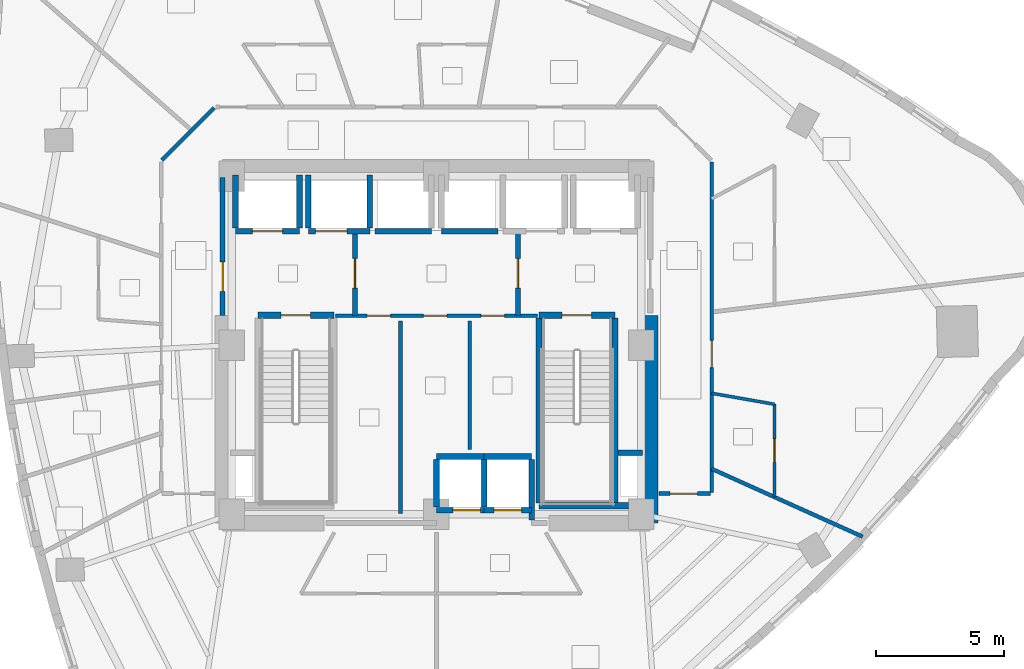
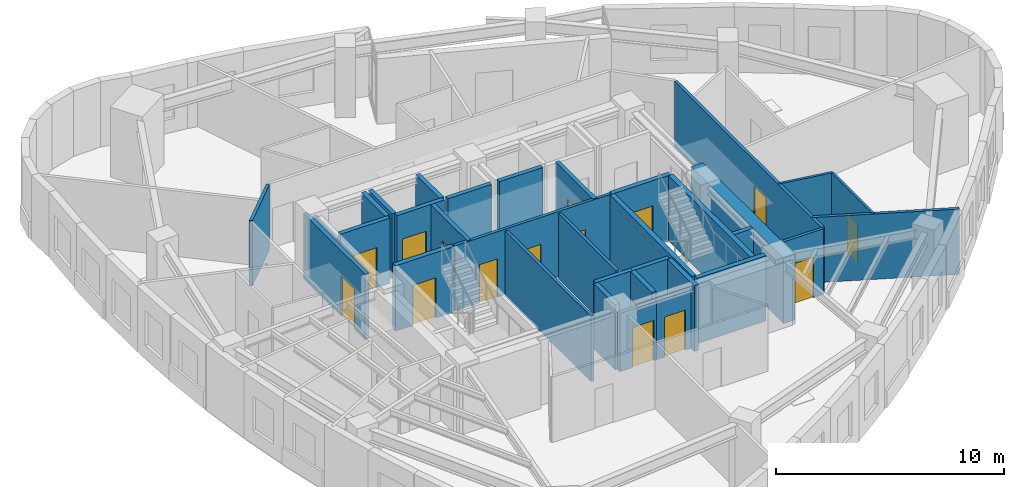
# One storey, part 7 of 12: 34 walls, 15 doors, 15 openings.
"""IFC4 building model written with IfcOpenShell, lengths in metres."""

from ifc_helpers import new_model, si_unit, direction, frame, frame_2d, origin, place, context, subcontext, project, spatial, rectangle, extrude, material, layer, layer_set, type_object, element, fill, save


model = new_model("IFC4")

# Units and contexts
model_context = context("Model", 3, precision=1e-05, world=origin(), true_north=direction((0.0, 1.0)))
body_context = subcontext(model_context, "Body", "Model", "MODEL_VIEW")
ifc_project = project(units=[si_unit("LENGTHUNIT", "METRE"), si_unit("AREAUNIT", "SQUARE_METRE"), si_unit("VOLUMEUNIT", "CUBIC_METRE"), si_unit("PLANEANGLEUNIT", "RADIAN"), si_unit("MASSUNIT", "GRAM", prefix="KILO")], contexts=[model_context])

# Site, building, storey
site_placement = place(None, origin())
site = spatial("IfcSite", under=ifc_project, at=site_placement, CompositionType="ELEMENT")
building_placement = place(site_placement, origin())
building = spatial("IfcBuilding", under=site, at=building_placement, Name="Ndelora Gate Hotel", CompositionType="ELEMENT")
storey_placement = place(building_placement, frame((0.0, 0.0, 153.5)))
storey = spatial("IfcBuildingStorey", under=building, at=storey_placement, Name="L38", CompositionType="ELEMENT", Elevation=153.5)

# Wall
ifc_material_1 = material(Name="Concrete C60/75", Category="concrete")
ifc_layer_1 = layer(ifc_material_1, 0.60009765625)
ifc_layer_set_1 = layer_set([ifc_layer_1], Name="Concrete C60/75")
wall_type_1 = type_object("IfcWallType", Name="WL-CORE-600", PredefinedType="SHEAR", material=ifc_layer_set_1)
wall_1_placement = place(storey_placement, frame((8.35009765625, -6.949951171875, 0.0), z_axis=(0.0, 0.0, 1.0), x_axis=(0.0, 1.0, 0.0)))
element("IfcWall", 1, at=wall_1_placement, inside=storey, type_object=wall_type_1, Name="L38 Core Shear Wall E", PredefinedType="SHEAR", context=body_context, shape_type="SweptSolid", body=[
    extrude(rectangle(XDim=8.099853515625, YDim=0.60009765625, at=frame_2d((4.0498046875, 0.0))), origin(), (0.0, 0.0, 1.0), 3.5),
])

# Wall, opening, door
ifc_material_2 = material(Name="Concrete C40/50", Category="concrete")
ifc_layer_2 = layer(ifc_material_2, 0.199951171875)
ifc_layer_set_2 = layer_set([ifc_layer_2], Name="Concrete C40/50")
wall_type_2 = type_object("IfcWallType", Name="WL-FIRE-200", PredefinedType="PARTITIONING", material=ifc_layer_set_2)
wall_2_placement = place(storey_placement, frame((-3.179931640625, 1.14990234375, 0.0), z_axis=(0.0, 0.0, 1.0), x_axis=(0.0, 1.0, 0.0)))
wall_2 = element("IfcWall", 2, at=wall_2_placement, inside=storey, type_object=wall_type_2, Name="L38 Interior Wall IW-2", PredefinedType="PARTITIONING", context=body_context, shape_type="SweptSolid", body=[
    extrude(rectangle(XDim=3.300048828125, YDim=0.199951171875, at=frame_2d((1.64990234375, 0.0))), origin(), (0.0, 0.0, 1.0), 3.5),
])
opening_1_placement = place(wall_2_placement, frame((1.080078125, 0.0, 0.0)))
opening_1 = element("IfcOpeningElement", 3, at=opening_1_placement, cuts=wall_2, Name="Opening FD1", PredefinedType="OPENING", context=body_context, shape_type="SweptSolid", body=[
    extrude(rectangle(XDim=1.14990234375, YDim=2.14990234375, at=frame_2d((0.574951171875, 1.074951171875))), frame((0.0, 0.10986328125, 0.0), z_axis=(0.0, -1.0, 0.0), x_axis=(1.0, 0.0, 0.0)), (0.0, 0.0, 1.0), 0.219970703125),
])
ifc_material_3 = material(Name="Fire-Rated Timber-Veneer Steel Core", Category="steel")
door_type_1 = type_object("IfcDoorType", Name="DR-FD60", OperationType="SINGLE_SWING_LEFT", PredefinedType="DOOR", material=ifc_material_3)
door_1_placement = place(opening_1_placement, origin())
door_1 = element("IfcDoor", 4, at=door_1_placement, inside=storey, type_object=door_type_1, Name="L38 Firefighting Lobby West Door", OperationType="SINGLE_SWING_RIGHT", OverallHeight=2.14990234375, OverallWidth=1.14990234375, PredefinedType="DOOR", context=body_context, shape_type="SweptSolid", body=[
    extrude(rectangle(XDim=1.14990234375, YDim=2.14990234375, at=frame_2d((0.574951171875, 1.074951171875))), frame((0.0, 0.02490234375, 0.0), z_axis=(0.0, -1.0, 0.0), x_axis=(1.0, 0.0, 0.0)), (0.0, 0.0, 1.0), 0.050048828125),
])
fill(opening_1, door_1)

wall_3_placement = place(storey_placement, frame((3.179931640625, 1.14990234375, 0.0), z_axis=(0.0, 0.0, 1.0), x_axis=(0.0, 1.0, 0.0)))
wall_3 = element("IfcWall", 5, at=wall_3_placement, inside=storey, type_object=wall_type_2, Name="L38 Interior Wall IW-2", PredefinedType="PARTITIONING", context=body_context, shape_type="SweptSolid", body=[
    extrude(rectangle(XDim=3.300048828125, YDim=0.199951171875, at=frame_2d((1.64990234375, 0.0))), origin(), (0.0, 0.0, 1.0), 3.5),
])
opening_2_placement = place(wall_3_placement, frame((1.080078125, 0.0, 0.0)))
opening_2 = element("IfcOpeningElement", 6, at=opening_2_placement, cuts=wall_3, Name="Opening FD1", PredefinedType="OPENING", context=body_context, shape_type="SweptSolid", body=[
    extrude(rectangle(XDim=1.14990234375, YDim=2.14990234375, at=frame_2d((0.574951171875, 1.074951171875))), frame((0.0, 0.10986328125, 0.0), z_axis=(0.0, -1.0, 0.0), x_axis=(1.0, 0.0, 0.0)), (0.0, 0.0, 1.0), 0.219970703125),
])
door_2_placement = place(opening_2_placement, origin())
door_2 = element("IfcDoor", 7, at=door_2_placement, inside=storey, type_object=door_type_1, Name="L38 Firefighting Lobby East Door", OperationType="SINGLE_SWING_LEFT", OverallHeight=2.14990234375, OverallWidth=1.14990234375, PredefinedType="DOOR", context=body_context, shape_type="SweptSolid", body=[
    extrude(rectangle(XDim=1.14990234375, YDim=2.14990234375, at=frame_2d((0.574951171875, 1.074951171875))), frame((0.0, 0.02490234375, 0.0), z_axis=(0.0, -1.0, 0.0), x_axis=(1.0, 0.0, 0.0)), (0.0, 0.0, 1.0), 0.050048828125),
])
fill(opening_2, door_2)

wall_4_placement = place(storey_placement, frame((-8.35009765625, 1.14990234375, 0.0), z_axis=(0.0, 0.0, 1.0), x_axis=(0.0, 1.0, 0.0)))
wall_4 = element("IfcWall", 8, at=wall_4_placement, inside=storey, type_object=wall_type_2, Name="L38 Interior Wall IW-2", PredefinedType="PARTITIONING", context=body_context, shape_type="SweptSolid", body=[
    extrude(rectangle(XDim=5.400146484375, YDim=0.199951171875, at=frame_2d((2.7001953125, 0.0))), origin(), (0.0, 0.0, 1.0), 3.5),
])
opening_3_placement = place(wall_4_placement, frame((0.949951171875, 0.0, 0.0)))
opening_3 = element("IfcOpeningElement", 9, at=opening_3_placement, cuts=wall_4, Name="Opening FD1", PredefinedType="OPENING", context=body_context, shape_type="SweptSolid", body=[
    extrude(rectangle(XDim=1.14990234375, YDim=2.14990234375, at=frame_2d((0.574951171875, 1.074951171875))), frame((0.0, 0.10986328125, 0.0), z_axis=(0.0, -1.0, 0.0), x_axis=(1.0, 0.0, 0.0)), (0.0, 0.0, 1.0), 0.219970703125),
])
door_3_placement = place(opening_3_placement, origin())
door_3 = element("IfcDoor", 10, at=door_3_placement, inside=storey, type_object=door_type_1, Name="L38 Firefighting Lobby West Corridor Door", OperationType="SINGLE_SWING_LEFT", OverallHeight=2.14990234375, OverallWidth=1.14990234375, PredefinedType="DOOR", context=body_context, shape_type="SweptSolid", body=[
    extrude(rectangle(XDim=1.14990234375, YDim=2.14990234375, at=frame_2d((0.574951171875, 1.074951171875))), frame((0.0, 0.02490234375, 0.0), z_axis=(0.0, -1.0, 0.0), x_axis=(1.0, 0.0, 0.0)), (0.0, 0.0, 1.0), 0.050048828125),
])
fill(opening_3, door_3)

# Wall, openings, doors
ifc_material_4 = material(Name="Fire-Rated Gypsum Stud Partition", Category="gypsum")
ifc_layer_3 = layer(ifc_material_4, 0.14990234375)
ifc_layer_set_3 = layer_set([ifc_layer_3], Name="Fire-Rated Gypsum Stud Partition")
wall_type_3 = type_object("IfcWallType", Name="WL-PART-150", PredefinedType="PARTITIONING", material=ifc_layer_set_3)
wall_5_placement = place(storey_placement, frame((3.949951171875, 1.14990234375, 0.0), z_axis=(0.0, 0.0, 1.0), x_axis=(-1.0, 0.0, 0.0)))
wall_5 = element("IfcWall", 11, at=wall_5_placement, inside=storey, type_object=wall_type_3, Name="L38 Interior Wall IW-5", PredefinedType="PARTITIONING", context=body_context, shape_type="SweptSolid", body=[
    extrude(rectangle(XDim=7.89990234375, YDim=0.14990234375, at=frame_2d((3.949951171875, 0.0))), origin(), (0.0, 0.0, 1.0), 3.5),
])
opening_4_placement = place(wall_5_placement, frame((5.739990234375, 0.0, 0.0)))
opening_4 = element("IfcOpeningElement", 12, at=opening_4_placement, cuts=wall_5, Name="Opening D04", PredefinedType="OPENING", context=body_context, shape_type="SweptSolid", body=[
    extrude(rectangle(XDim=0.919921875, YDim=2.050048828125, at=frame_2d((0.4599609375, 1.02490234375))), frame((0.0, 0.0849609375, 0.0), z_axis=(0.0, -1.0, 0.0), x_axis=(1.0, 0.0, 0.0)), (0.0, 0.0, 1.0), 0.169921875),
])
opening_5_placement = place(wall_5_placement, frame((3.5400390625, 0.0, 0.0)))
opening_5 = element("IfcOpeningElement", 13, at=opening_5_placement, cuts=wall_5, Name="Opening D04", PredefinedType="OPENING", context=body_context, shape_type="SweptSolid", body=[
    extrude(rectangle(XDim=0.919921875, YDim=2.050048828125, at=frame_2d((0.4599609375, 1.02490234375))), frame((0.0, 0.0849609375, 0.0), z_axis=(0.0, -1.0, 0.0), x_axis=(1.0, 0.0, 0.0)), (0.0, 0.0, 1.0), 0.169921875),
])
opening_6_placement = place(wall_5_placement, frame((1.2900390625, 0.0, 0.0)))
opening_6 = element("IfcOpeningElement", 14, at=opening_6_placement, cuts=wall_5, Name="Opening D04", PredefinedType="OPENING", context=body_context, shape_type="SweptSolid", body=[
    extrude(rectangle(XDim=0.919921875, YDim=2.050048828125, at=frame_2d((0.4599609375, 1.02490234375))), frame((0.0, 0.0849609375, 0.0), z_axis=(0.0, -1.0, 0.0), x_axis=(1.0, 0.0, 0.0)), (0.0, 0.0, 1.0), 0.169921875),
])
ifc_material_5 = material(Name="Painted Steel Core Service Door", Category="steel")
door_type_2 = type_object("IfcDoorType", Name="DR-SER-920", OperationType="SINGLE_SWING_LEFT", PredefinedType="DOOR", material=ifc_material_5)
door_4_placement = place(opening_4_placement, origin())
door_4 = element("IfcDoor", 15, at=door_4_placement, inside=storey, type_object=door_type_2, Name="L38 Core Cleaners Store Door", OperationType="SINGLE_SWING_LEFT", OverallHeight=2.050048828125, OverallWidth=0.919921875, PredefinedType="DOOR", context=body_context, shape_type="SweptSolid", body=[
    extrude(rectangle(XDim=0.919921875, YDim=2.050048828125, at=frame_2d((0.4599609375, 1.02490234375))), frame((0.0, 0.02490234375, 0.0), z_axis=(0.0, -1.0, 0.0), x_axis=(1.0, 0.0, 0.0)), (0.0, 0.0, 1.0), 0.050048828125),
])
fill(opening_4, door_4)
door_5_placement = place(opening_5_placement, origin())
door_5 = element("IfcDoor", 16, at=door_5_placement, inside=storey, type_object=door_type_2, Name="L38 Core Telecoms Equipment Room Door", OperationType="SINGLE_SWING_RIGHT", OverallHeight=2.050048828125, OverallWidth=0.919921875, PredefinedType="DOOR", context=body_context, shape_type="SweptSolid", body=[
    extrude(rectangle(XDim=0.919921875, YDim=2.050048828125, at=frame_2d((0.4599609375, 1.02490234375))), frame((0.0, 0.02490234375, 0.0), z_axis=(0.0, -1.0, 0.0), x_axis=(1.0, 0.0, 0.0)), (0.0, 0.0, 1.0), 0.050048828125),
])
fill(opening_5, door_5)
door_6_placement = place(opening_6_placement, origin())
door_6 = element("IfcDoor", 17, at=door_6_placement, inside=storey, type_object=door_type_2, Name="L38 Core Electrical Metering Room Door", OperationType="SINGLE_SWING_LEFT", OverallHeight=2.050048828125, OverallWidth=0.919921875, PredefinedType="DOOR", context=body_context, shape_type="SweptSolid", body=[
    extrude(rectangle(XDim=0.919921875, YDim=2.050048828125, at=frame_2d((0.4599609375, 1.02490234375))), frame((0.0, 0.02490234375, 0.0), z_axis=(0.0, -1.0, 0.0), x_axis=(1.0, 0.0, 0.0)), (0.0, 0.0, 1.0), 0.050048828125),
])
fill(opening_6, door_6)

# Walls
wall_6_placement = place(storey_placement, frame((-1.39990234375, -6.580078125, 0.0), z_axis=(0.0, 0.0, 1.0), x_axis=(0.0, 1.0, 0.0)))
element("IfcWall", 18, at=wall_6_placement, inside=storey, type_object=wall_type_3, Name="L38 Interior Wall IW-5", PredefinedType="PARTITIONING", context=body_context, shape_type="SweptSolid", body=[
    extrude(rectangle(XDim=7.530029296875, YDim=0.14990234375, at=frame_2d((3.76513671875, 0.0))), origin(), (0.0, 0.0, 1.0), 3.5),
])
wall_7_placement = place(storey_placement, frame((1.300048828125, -4.080078125, 0.0), z_axis=(0.0, 0.0, 1.0), x_axis=(0.0, 1.0, 0.0)))
element("IfcWall", 19, at=wall_7_placement, inside=storey, type_object=wall_type_3, Name="L38 Interior Wall IW-5", PredefinedType="PARTITIONING", context=body_context, shape_type="SweptSolid", body=[
    extrude(rectangle(XDim=5.030029296875, YDim=0.14990234375, at=frame_2d((2.51513671875, 0.0))), origin(), (0.0, 0.0, 1.0), 3.5),
])

# Wall, opening, door
wall_8_placement = place(storey_placement, frame((10.7099609375, -5.800048828125, 0.0), z_axis=(0.0, 0.0, 1.0), x_axis=(-1.0, 0.0, 0.0)))
wall_8 = element("IfcWall", 20, at=wall_8_placement, inside=storey, type_object=wall_type_3, Name="L38 Interior Wall IW-5", PredefinedType="PARTITIONING", context=body_context, shape_type="SweptSolid", body=[
    extrude(rectangle(XDim=2.02001953125, YDim=0.14990234375, at=frame_2d((1.010009765625, 0.0))), origin(), (0.0, 0.0, 1.0), 3.5),
])
opening_7_placement = place(wall_8_placement, frame((0.52001953125, 0.0, 0.0)))
opening_7 = element("IfcOpeningElement", 21, at=opening_7_placement, cuts=wall_8, Name="Opening D07", PredefinedType="OPENING", context=body_context, shape_type="SweptSolid", body=[
    extrude(rectangle(XDim=1.06005859375, YDim=2.14990234375, at=frame_2d((0.530029296875, 1.074951171875))), frame((0.0, 0.0849609375, 0.0), z_axis=(0.0, -1.0, 0.0), x_axis=(1.0, 0.0, 0.0)), (0.0, 0.0, 1.0), 0.169921875),
])
ifc_material_6 = material(Name="Diplomatic Suite Acoustic Entrance Door", Category="wood")
door_type_3 = type_object("IfcDoorType", Name="DR-SUITE-1060", OperationType="SINGLE_SWING_LEFT", PredefinedType="DOOR", material=ifc_material_6)
door_7_placement = place(opening_7_placement, origin())
door_7 = element("IfcDoor", 22, at=door_7_placement, inside=storey, type_object=door_type_3, Name="L38 Club Twin Corner Suite 4102 Entrance Door", OperationType="SINGLE_SWING_LEFT", OverallHeight=2.14990234375, OverallWidth=1.06005859375, PredefinedType="DOOR", context=body_context, shape_type="SweptSolid", body=[
    extrude(rectangle(XDim=1.06005859375, YDim=2.14990234375, at=frame_2d((0.530029296875, 1.074951171875))), frame((0.0, 0.02490234375, 0.0), z_axis=(0.0, -1.0, 0.0), x_axis=(1.0, 0.0, 0.0)), (0.0, 0.0, 1.0), 0.050048828125),
])
fill(opening_7, door_7)

wall_9_placement = place(storey_placement, frame((10.75, 7.159912109375, 0.0), z_axis=(0.0, 0.0, 1.0), x_axis=(0.0, -1.0, 0.0)))
wall_9 = element("IfcWall", 23, at=wall_9_placement, inside=storey, type_object=wall_type_3, Name="L38 Interior Wall IW-5", PredefinedType="PARTITIONING", context=body_context, shape_type="SweptSolid", body=[
    extrude(rectangle(XDim=12.919921875, YDim=0.14990234375, at=frame_2d((6.4599609375, 0.0))), origin(), (0.0, 0.0, 1.0), 3.5),
])
opening_8_placement = place(wall_9_placement, frame((6.973388671875, 0.0, 0.0)))
opening_8 = element("IfcOpeningElement", 24, at=opening_8_placement, cuts=wall_9, Name="Opening D07", PredefinedType="OPENING", context=body_context, shape_type="SweptSolid", body=[
    extrude(rectangle(XDim=1.06005859375, YDim=2.14990234375, at=frame_2d((0.530029296875, 1.074951171875))), frame((0.0, 0.0849609375, 0.0), z_axis=(0.0, -1.0, 0.0), x_axis=(1.0, 0.0, 0.0)), (0.0, 0.0, 1.0), 0.169921875),
])
door_8_placement = place(opening_8_placement, origin())
door_8 = element("IfcDoor", 25, at=door_8_placement, inside=storey, type_object=door_type_3, Name="L38 Corner Panorama Suite 4103 Entrance Door", OperationType="SINGLE_SWING_RIGHT", OverallHeight=2.14990234375, OverallWidth=1.06005859375, PredefinedType="DOOR", context=body_context, shape_type="SweptSolid", body=[
    extrude(rectangle(XDim=1.06005859375, YDim=2.14990234375, at=frame_2d((0.530029296875, 1.074951171875))), frame((0.0, 0.02490234375, 0.0), z_axis=(0.0, -1.0, 0.0), x_axis=(1.0, 0.0, 0.0)), (0.0, 0.0, 1.0), 0.050048828125),
])
fill(opening_8, door_8)

# Walls
wall_10_placement = place(storey_placement, frame((-10.7216796875, 7.228271484375, 0.0), z_axis=(0.0, 0.0, 1.0), x_axis=(0.707106781187, 0.707106781187, 0.0)))
element("IfcWall", 26, at=wall_10_placement, inside=storey, type_object=wall_type_3, Name="L38 Interior Wall IW-5", PredefinedType="PARTITIONING", context=body_context, shape_type="SweptSolid", body=[
    extrude(rectangle(XDim=2.889892578125, YDim=0.14990234375, at=frame_2d((1.44482421875, 0.0))), origin(), (0.0, 0.0, 1.0), 3.5),
])
wall_11_placement = place(storey_placement, frame((10.75, -4.831298828125, 0.0), z_axis=(0.0, 0.0, 1.0), x_axis=(0.912119988026, -0.40992331898, 0.0)))
element("IfcWall", 27, at=wall_11_placement, inside=storey, type_object=wall_type_3, Name="L38 Interior Wall IW-5", PredefinedType="PARTITIONING", context=body_context, shape_type="SweptSolid", body=[
    extrude(rectangle(XDim=6.4638671875, YDim=0.14990234375, at=frame_2d((3.23193359375, 0.0))), origin(), (0.0, 0.0, 1.0), 3.5),
])
ifc_layer_4 = layer(ifc_material_2, 0.219970703125)
ifc_layer_set_4 = layer_set([ifc_layer_4], Name="Concrete C40/50")
wall_type_4 = type_object("IfcWallType", Name="WL-SHAFT-220", PredefinedType="PARTITIONING", material=ifc_layer_set_4)
wall_12_placement = place(storey_placement, frame((7.090087890625, -4.199951171875, 0.0), z_axis=(0.0, 0.0, 1.0), x_axis=(1.0, 0.0, 0.0)))
element("IfcWall", 28, at=wall_12_placement, inside=storey, type_object=wall_type_4, Name="L38 Interior Wall IW-1", PredefinedType="PARTITIONING", context=body_context, shape_type="SweptSolid", body=[
    extrude(rectangle(XDim=0.9599609375, YDim=0.219970703125, at=frame_2d((0.47998046875, 0.0))), origin(), (0.0, 0.0, 1.0), 3.5),
])

# Wall, opening, door
wall_13_placement = place(storey_placement, frame((-7.85009765625, 4.449951171875, 0.0), z_axis=(0.0, 0.0, 1.0), x_axis=(1.0, 0.0, 0.0)))
wall_13 = element("IfcWall", 29, at=wall_13_placement, inside=storey, type_object=wall_type_4, Name="L38 Interior Wall IW-1", PredefinedType="PARTITIONING", context=body_context, shape_type="SweptSolid", body=[
    extrude(rectangle(XDim=2.5, YDim=0.219970703125, at=frame_2d((1.25, 0.0))), origin(), (0.0, 0.0, 1.0), 3.5),
])
opening_9_placement = place(wall_13_placement, frame((0.659912109375, 0.0, 0.0)))
opening_9 = element("IfcOpeningElement", 30, at=opening_9_placement, cuts=wall_13, Name="Opening LD5", PredefinedType="OPENING", context=body_context, shape_type="SweptSolid", body=[
    extrude(rectangle(XDim=1.179931640625, YDim=2.14990234375, at=frame_2d((0.58984375, 1.074951171875))), frame((0.0, 0.1201171875, 0.0), z_axis=(0.0, -1.0, 0.0), x_axis=(1.0, 0.0, 0.0)), (0.0, 0.0, 1.0), 0.239990234375),
])
ifc_material_7 = material(Name="Firefighting Lift Stainless Sliding Landing Door", Category="metal")
door_type_4 = type_object("IfcDoorType", Name="DR-LD5", OperationType="DOUBLE_DOOR_SLIDING", PredefinedType="DOOR", material=ifc_material_7)
door_9_placement = place(opening_9_placement, origin())
door_9 = element("IfcDoor", 31, at=door_9_placement, inside=storey, type_object=door_type_4, Name="L38 Lift Landing Sliding Door FFL1", OperationType="DOUBLE_DOOR_SLIDING", OverallHeight=2.14990234375, OverallWidth=1.179931640625, PredefinedType="DOOR", context=body_context, shape_type="SweptSolid", body=[
    extrude(rectangle(XDim=1.179931640625, YDim=2.14990234375, at=frame_2d((0.58984375, 1.074951171875))), frame((0.0, 0.02490234375, 0.0), z_axis=(0.0, -1.0, 0.0), x_axis=(1.0, 0.0, 0.0)), (0.0, 0.0, 1.0), 0.050048828125),
])
fill(opening_9, door_9)

# Walls
wall_14_placement = place(storey_placement, frame((-7.85009765625, 4.570068359375, 0.0), z_axis=(0.0, 0.0, 1.0), x_axis=(0.0, 1.0, 0.0)))
element("IfcWall", 32, at=wall_14_placement, inside=storey, type_object=wall_type_4, Name="L38 Interior Wall IW-1", PredefinedType="PARTITIONING", context=body_context, shape_type="SweptSolid", body=[
    extrude(rectangle(XDim=2.079833984375, YDim=0.219970703125, at=frame_2d((1.0400390625, 0.0))), origin(), (0.0, 0.0, 1.0), 3.1201171875),
])
wall_15_placement = place(storey_placement, frame((-5.35009765625, 4.570068359375, 0.0), z_axis=(0.0, 0.0, 1.0), x_axis=(0.0, 1.0, 0.0)))
element("IfcWall", 33, at=wall_15_placement, inside=storey, type_object=wall_type_4, Name="L38 Interior Wall IW-1", PredefinedType="PARTITIONING", context=body_context, shape_type="SweptSolid", body=[
    extrude(rectangle(XDim=2.079833984375, YDim=0.219970703125, at=frame_2d((1.0400390625, 0.0))), origin(), (0.0, 0.0, 1.0), 3.5),
])

# Wall, opening, door
wall_16_placement = place(storey_placement, frame((-5.0, 4.449951171875, 0.0), z_axis=(0.0, 0.0, 1.0), x_axis=(1.0, 0.0, 0.0)))
wall_16 = element("IfcWall", 34, at=wall_16_placement, inside=storey, type_object=wall_type_4, Name="L38 Interior Wall IW-1", PredefinedType="PARTITIONING", context=body_context, shape_type="SweptSolid", body=[
    extrude(rectangle(XDim=2.39990234375, YDim=0.219970703125, at=frame_2d((1.199951171875, 0.0))), origin(), (0.0, 0.0, 1.0), 3.5),
])
opening_10_placement = place(wall_16_placement, frame((0.280029296875, 0.0, 0.0)))
opening_10 = element("IfcOpeningElement", 35, at=opening_10_placement, cuts=wall_16, Name="Opening LD6", PredefinedType="OPENING", context=body_context, shape_type="SweptSolid", body=[
    extrude(rectangle(XDim=1.219970703125, YDim=2.14990234375, at=frame_2d((0.60986328125, 1.074951171875))), frame((0.0, 0.1201171875, 0.0), z_axis=(0.0, -1.0, 0.0), x_axis=(1.0, 0.0, 0.0)), (0.0, 0.0, 1.0), 0.239990234375),
])
ifc_material_8 = material(Name="Heavy-Duty Service Lift Sliding Landing Door", Category="wood")
door_type_5 = type_object("IfcDoorType", Name="DR-LD6", OperationType="DOUBLE_DOOR_SLIDING", PredefinedType="DOOR", material=ifc_material_8)
door_10_placement = place(opening_10_placement, origin())
door_10 = element("IfcDoor", 36, at=door_10_placement, inside=storey, type_object=door_type_5, Name="L38 Lift Landing Sliding Door SVL1", OperationType="DOUBLE_DOOR_SLIDING", OverallHeight=2.14990234375, OverallWidth=1.219970703125, PredefinedType="DOOR", context=body_context, shape_type="SweptSolid", body=[
    extrude(rectangle(XDim=1.219970703125, YDim=2.14990234375, at=frame_2d((0.60986328125, 1.074951171875))), frame((0.0, 0.02490234375, 0.0), z_axis=(0.0, -1.0, 0.0), x_axis=(1.0, 0.0, 0.0)), (0.0, 0.0, 1.0), 0.050048828125),
])
fill(opening_10, door_10)

# Walls
for number, where, z_axis, x_axis, name in (
    (37, (-5.0, 4.570068359375, 0.0), (0.0, 0.0, 1.0), (0.0, 1.0, 0.0), "L38 Interior Wall IW-1"),
    (38, (-2.60009765625, 4.570068359375, 0.0), (0.0, 0.0, 1.0), (0.0, 1.0, 0.0), "L38 Interior Wall IW-1"),
):
    element("IfcWall", number, at=place(storey_placement, frame(where, z_axis=z_axis, x_axis=x_axis)), inside=storey, type_object=wall_type_4, Name=name, PredefinedType="PARTITIONING", context=body_context, shape_type="SweptSolid", body=[
        extrude(rectangle(XDim=2.079833984375, YDim=0.219970703125, at=frame_2d((1.0400390625, 0.0))), origin(), (0.0, 0.0, 1.0), 3.5),
    ])

# Wall, opening, door
wall_17_placement = place(storey_placement, frame((0.0, -6.449951171875, 0.0), z_axis=(0.0, 0.0, 1.0), x_axis=(1.0, 0.0, 0.0)))
wall_17 = element("IfcWall", 39, at=wall_17_placement, inside=storey, type_object=wall_type_4, Name="L38 Interior Wall IW-1", PredefinedType="PARTITIONING", context=body_context, shape_type="SweptSolid", body=[
    extrude(rectangle(XDim=1.860107421875, YDim=0.219970703125, at=frame_2d((0.93017578125, 0.0))), origin(), (0.0, 0.0, 1.0), 3.1201171875),
])
opening_11_placement = place(wall_17_placement, frame((0.639892578125, 0.0, 0.0)))
opening_11 = element("IfcOpeningElement", 40, at=opening_11_placement, cuts=wall_17, Name="Opening LD2", PredefinedType="OPENING", context=body_context, shape_type="SweptSolid", body=[
    extrude(rectangle(XDim=1.080078125, YDim=2.14990234375, at=frame_2d((0.5400390625, 1.074951171875))), frame((0.0, 0.1201171875, 0.0), z_axis=(0.0, -1.0, 0.0), x_axis=(1.0, 0.0, 0.0)), (0.0, 0.0, 1.0), 0.239990234375),
])
ifc_material_9 = material(Name="Brushed Bronze Stainless Lift Landing Door", Category="metal")
door_type_6 = type_object("IfcDoorType", Name="DR-LD2", OperationType="DOUBLE_DOOR_SLIDING", PredefinedType="DOOR", material=ifc_material_9)
door_11_placement = place(opening_11_placement, origin())
door_11 = element("IfcDoor", 41, at=door_11_placement, inside=storey, type_object=door_type_6, Name="L38 Lift Landing Sliding Door P2A", OperationType="DOUBLE_DOOR_SLIDING", OverallHeight=2.14990234375, OverallWidth=1.080078125, PredefinedType="DOOR", context=body_context, shape_type="SweptSolid", body=[
    extrude(rectangle(XDim=1.080078125, YDim=2.14990234375, at=frame_2d((0.5400390625, 1.074951171875))), frame((0.0, 0.02490234375, 0.0), z_axis=(0.0, -1.0, 0.0), x_axis=(1.0, 0.0, 0.0)), (0.0, 0.0, 1.0), 0.050048828125),
])
fill(opening_11, door_11)

# Walls
for number, where, z_axis, x_axis, name in (
    (42, (0.0, -4.35009765625, 0.0), (0.0, 0.0, 1.0), (1.0, 0.0, 0.0), "L38 Interior Wall IW-1"),
    (43, (0.0, -6.330078125, 0.0), (0.0, 0.0, 1.0), (0.0, 1.0, 0.0), "L38 Interior Wall IW-1"),
    (44, (1.860107421875, -6.330078125, 0.0), (0.0, 0.0, 1.0), (0.0, 1.0, 0.0), "L38 Interior Wall IW-1"),
):
    element("IfcWall", number, at=place(storey_placement, frame(where, z_axis=z_axis, x_axis=x_axis)), inside=storey, type_object=wall_type_4, Name=name, PredefinedType="PARTITIONING", context=body_context, shape_type="SweptSolid", body=[
        extrude(rectangle(XDim=1.860107421875, YDim=0.219970703125, at=frame_2d((0.93017578125, 0.0))), origin(), (0.0, 0.0, 1.0), 3.5),
    ])

# Wall, opening, door
wall_18_placement = place(storey_placement, frame((1.860107421875, -6.449951171875, 0.0), z_axis=(0.0, 0.0, 1.0), x_axis=(1.0, 0.0, 0.0)))
wall_18 = element("IfcWall", 45, at=wall_18_placement, inside=storey, type_object=wall_type_4, Name="L38 Interior Wall IW-1", PredefinedType="PARTITIONING", context=body_context, shape_type="SweptSolid", body=[
    extrude(rectangle(XDim=1.85986328125, YDim=0.219970703125, at=frame_2d((0.929931640625, 0.0))), origin(), (0.0, 0.0, 1.0), 3.1201171875),
])
opening_12_placement = place(wall_18_placement, frame((0.389892578125, 0.0, 0.0)))
opening_12 = element("IfcOpeningElement", 46, at=opening_12_placement, cuts=wall_18, Name="Opening LD2", PredefinedType="OPENING", context=body_context, shape_type="SweptSolid", body=[
    extrude(rectangle(XDim=1.080078125, YDim=2.14990234375, at=frame_2d((0.5400390625, 1.074951171875))), frame((0.0, 0.1201171875, 0.0), z_axis=(0.0, -1.0, 0.0), x_axis=(1.0, 0.0, 0.0)), (0.0, 0.0, 1.0), 0.239990234375),
])
door_12_placement = place(opening_12_placement, origin())
door_12 = element("IfcDoor", 47, at=door_12_placement, inside=storey, type_object=door_type_6, Name="L38 Lift Landing Sliding Door P2B", OperationType="DOUBLE_DOOR_SLIDING", OverallHeight=2.14990234375, OverallWidth=1.080078125, PredefinedType="DOOR", context=body_context, shape_type="SweptSolid", body=[
    extrude(rectangle(XDim=1.080078125, YDim=2.14990234375, at=frame_2d((0.5400390625, 1.074951171875))), frame((0.0, 0.02490234375, 0.0), z_axis=(0.0, -1.0, 0.0), x_axis=(1.0, 0.0, 0.0)), (0.0, 0.0, 1.0), 0.050048828125),
])
fill(opening_12, door_12)

# Walls
wall_19_placement = place(storey_placement, frame((1.860107421875, -4.35009765625, 0.0), z_axis=(0.0, 0.0, 1.0), x_axis=(1.0, 0.0, 0.0)))
element("IfcWall", 48, at=wall_19_placement, inside=storey, type_object=wall_type_4, Name="L38 Interior Wall IW-1", PredefinedType="PARTITIONING", context=body_context, shape_type="SweptSolid", body=[
    extrude(rectangle(XDim=1.85986328125, YDim=0.219970703125, at=frame_2d((0.929931640625, 0.0))), origin(), (0.0, 0.0, 1.0), 3.5),
])
wall_20_placement = place(storey_placement, frame((3.719970703125, -6.830078125, 0.0), z_axis=(0.0, 0.0, 1.0), x_axis=(0.0, 1.0, 0.0)))
element("IfcWall", 49, at=wall_20_placement, inside=storey, type_object=wall_type_4, Name="L38 Interior Wall IW-1", PredefinedType="PARTITIONING", context=body_context, shape_type="SweptSolid", body=[
    extrude(rectangle(XDim=2.360107421875, YDim=0.219970703125, at=frame_2d((1.18017578125, 0.0))), origin(), (0.0, 0.0, 1.0), 3.5),
])
for number, where, z_axis, x_axis, name in (
    (50, (-2.39990234375, 4.449951171875, 0.0), (0.0, 0.0, 1.0), (1.0, 0.0, 0.0), "L38 Interior Wall IW-1"),
    (51, (0.199951171875, 4.449951171875, 0.0), (0.0, 0.0, 1.0), (1.0, 0.0, 0.0), "L38 Interior Wall IW-1"),
):
    element("IfcWall", number, at=place(storey_placement, frame(where, z_axis=z_axis, x_axis=x_axis)), inside=storey, type_object=wall_type_4, Name=name, PredefinedType="PARTITIONING", context=body_context, shape_type="SweptSolid", body=[
        extrude(rectangle(XDim=2.199951171875, YDim=0.219970703125, at=frame_2d((1.10009765625, 0.0))), origin(), (0.0, 0.0, 1.0), 3.5),
    ])

# Wall, opening, door
ifc_material_10 = material(Name="Concrete C50/60", Category="concrete")
ifc_layer_5 = layer(ifc_material_10, 0.239990234375)
ifc_layer_set_5 = layer_set([ifc_layer_5], Name="Concrete C50/60")
wall_type_5 = type_object("IfcWallType", Name="WL-STAIR-240", PredefinedType="SHEAR", material=ifc_layer_set_5)
wall_21_placement = place(storey_placement, frame((-6.969970703125, 1.169921875, 0.0), z_axis=(0.0, 0.0, 1.0), x_axis=(1.0, 0.0, 0.0)))
wall_21 = element("IfcWall", 52, at=wall_21_placement, inside=storey, type_object=wall_type_5, Name="L38 Stair Core Shear Wall SW-ST", PredefinedType="SHEAR", context=body_context, shape_type="SweptSolid", body=[
    extrude(rectangle(XDim=2.9599609375, YDim=0.239990234375, at=frame_2d((1.47998046875, 0.0))), origin(), (0.0, 0.0, 1.0), 3.5),
])
opening_13_placement = place(wall_21_placement, frame((0.89990234375, 0.0, 0.0)))
opening_13 = element("IfcOpeningElement", 53, at=opening_13_placement, cuts=wall_21, Name="Opening FD1", PredefinedType="OPENING", context=body_context, shape_type="SweptSolid", body=[
    extrude(rectangle(XDim=1.14990234375, YDim=2.14990234375, at=frame_2d((0.574951171875, 1.074951171875))), frame((0.0, 0.1298828125, 0.0), z_axis=(0.0, -1.0, 0.0), x_axis=(1.0, 0.0, 0.0)), (0.0, 0.0, 1.0), 0.260009765625),
])
door_13_placement = place(opening_13_placement, origin())
door_13 = element("IfcDoor", 54, at=door_13_placement, inside=storey, type_object=door_type_1, Name="L38 Exit Stair ST4 Door", OperationType="SINGLE_SWING_LEFT", OverallHeight=2.14990234375, OverallWidth=1.14990234375, PredefinedType="DOOR", context=body_context, shape_type="SweptSolid", body=[
    extrude(rectangle(XDim=1.14990234375, YDim=2.14990234375, at=frame_2d((0.574951171875, 1.074951171875))), frame((0.0, 0.02490234375, 0.0), z_axis=(0.0, -1.0, 0.0), x_axis=(1.0, 0.0, 0.0)), (0.0, 0.0, 1.0), 0.050048828125),
])
fill(opening_13, door_13)

# Walls
for number, where, z_axis, x_axis, name in (
    (55, (4.010009765625, -6.159912109375, 0.0), (0.0, 0.0, 1.0), (0.0, 1.0, 0.0), "L38 Stair Core Shear Wall SW-ST"),
    (56, (6.969970703125, -6.159912109375, 0.0), (0.0, 0.0, 1.0), (0.0, 1.0, 0.0), "L38 Stair Core Shear Wall SW-ST"),
):
    element("IfcWall", number, at=place(storey_placement, frame(where, z_axis=z_axis, x_axis=x_axis)), inside=storey, type_object=wall_type_5, Name=name, PredefinedType="SHEAR", context=body_context, shape_type="SweptSolid", body=[
        extrude(rectangle(XDim=7.219970703125, YDim=0.239990234375, at=frame_2d((3.60986328125, 0.0))), origin(), (0.0, 0.0, 1.0), 3.5),
    ])
wall_22_placement = place(storey_placement, frame((4.010009765625, -6.27001953125, 0.0), z_axis=(0.0, 0.0, 1.0), x_axis=(1.0, 0.0, 0.0)))
element("IfcWall", 57, at=wall_22_placement, inside=storey, type_object=wall_type_5, Name="L38 Stair Core Shear Wall SW-ST", PredefinedType="SHEAR", context=body_context, shape_type="SweptSolid", body=[
    extrude(rectangle(XDim=3.489990234375, YDim=0.239990234375, at=frame_2d((1.7451171875, 0.0))), origin(), (0.0, 0.0, 1.0), 3.5),
])

# Wall, opening, door
wall_23_placement = place(storey_placement, frame((4.010009765625, 1.169921875, 0.0), z_axis=(0.0, 0.0, 1.0), x_axis=(1.0, 0.0, 0.0)))
wall_23 = element("IfcWall", 58, at=wall_23_placement, inside=storey, type_object=wall_type_5, Name="L38 Stair Core Shear Wall SW-ST", PredefinedType="SHEAR", context=body_context, shape_type="SweptSolid", body=[
    extrude(rectangle(XDim=2.9599609375, YDim=0.239990234375, at=frame_2d((1.47998046875, 0.0))), origin(), (0.0, 0.0, 1.0), 3.5),
])
opening_14_placement = place(wall_23_placement, frame((0.89990234375, 0.0, 0.0)))
opening_14 = element("IfcOpeningElement", 59, at=opening_14_placement, cuts=wall_23, Name="Opening FD1", PredefinedType="OPENING", context=body_context, shape_type="SweptSolid", body=[
    extrude(rectangle(XDim=1.14990234375, YDim=2.14990234375, at=frame_2d((0.574951171875, 1.074951171875))), frame((0.0, 0.1298828125, 0.0), z_axis=(0.0, -1.0, 0.0), x_axis=(1.0, 0.0, 0.0)), (0.0, 0.0, 1.0), 0.260009765625),
])
door_14_placement = place(opening_14_placement, origin())
door_14 = element("IfcDoor", 60, at=door_14_placement, inside=storey, type_object=door_type_1, Name="L38 Exit Stair ST5 Door", OperationType="SINGLE_SWING_RIGHT", OverallHeight=2.14990234375, OverallWidth=1.14990234375, PredefinedType="DOOR", context=body_context, shape_type="SweptSolid", body=[
    extrude(rectangle(XDim=1.14990234375, YDim=2.14990234375, at=frame_2d((0.574951171875, 1.074951171875))), frame((0.0, 0.02490234375, 0.0), z_axis=(0.0, -1.0, 0.0), x_axis=(1.0, 0.0, 0.0)), (0.0, 0.0, 1.0), 0.050048828125),
])
fill(opening_14, door_14)

# Wall
ifc_material_11 = material(Name="Moisture-Resistant Bathroom Tile Partition", Category="gypsum")
ifc_layer_6 = layer(ifc_material_11, 0.1201171875)
ifc_layer_set_6 = layer_set([ifc_layer_6], Name="Moisture-Resistant Bathroom Tile Partition")
wall_type_6 = type_object("IfcWallType", Name="WL-WET-120", PredefinedType="PARTITIONING", material=ifc_layer_set_6)
wall_24_placement = place(storey_placement, frame((10.75, -1.87890625, 0.0), z_axis=(0.0, 0.0, 1.0), x_axis=(0.985065866007, -0.172177930142, 0.0)))
element("IfcWall", 61, at=wall_24_placement, inside=storey, type_object=wall_type_6, Name="L38 Interior Wall IW-7", PredefinedType="PARTITIONING", context=body_context, shape_type="SweptSolid", body=[
    extrude(rectangle(XDim=2.487060546875, YDim=0.1201171875, at=frame_2d((1.24365234375, 0.0))), origin(), (0.0, 0.0, 1.0), 3.5),
])

# Wall, opening, door
wall_25_placement = place(storey_placement, frame((13.199951171875, -2.30712890625, 0.0), z_axis=(0.0, 0.0, 1.0), x_axis=(0.0, -1.0, 0.0)))
wall_25 = element("IfcWall", 62, at=wall_25_placement, inside=storey, type_object=wall_type_6, Name="L38 Interior Wall IW-7", PredefinedType="PARTITIONING", context=body_context, shape_type="SweptSolid", body=[
    extrude(rectangle(XDim=3.625244140625, YDim=0.1201171875, at=frame_2d((1.8125, 0.0))), origin(), (0.0, 0.0, 1.0), 3.5),
])
opening_15_placement = place(wall_25_placement, frame((1.3525390625, 0.0, 0.0)))
opening_15 = element("IfcOpeningElement", 63, at=opening_15_placement, cuts=wall_25, Name="Opening D03", PredefinedType="OPENING", context=body_context, shape_type="SweptSolid", body=[
    extrude(rectangle(XDim=0.919921875, YDim=2.10009765625, at=frame_2d((0.4599609375, 1.050048828125))), frame((0.0, 0.070068359375, 0.0), z_axis=(0.0, -1.0, 0.0), x_axis=(1.0, 0.0, 0.0)), (0.0, 0.0, 1.0), 0.14013671875),
])
ifc_material_12 = material(Name="Moisture-Resistant Hardwood En-Suite Door", Category="wood")
door_type_7 = type_object("IfcDoorType", Name="DR-BATH-920", OperationType="SINGLE_SWING_LEFT", PredefinedType="DOOR", material=ifc_material_12)
door_15_placement = place(opening_15_placement, origin())
door_15 = element("IfcDoor", 64, at=door_15_placement, inside=storey, type_object=door_type_7, Name="L38 En-suite Bathroom 4103 Door", OperationType="SINGLE_SWING_RIGHT", OverallHeight=2.10009765625, OverallWidth=0.919921875, PredefinedType="DOOR", context=body_context, shape_type="SweptSolid", body=[
    extrude(rectangle(XDim=0.919921875, YDim=2.10009765625, at=frame_2d((0.4599609375, 1.050048828125))), frame((0.0, 0.02490234375, 0.0), z_axis=(0.0, -1.0, 0.0), x_axis=(1.0, 0.0, 0.0)), (0.0, 0.0, 1.0), 0.050048828125),
])
fill(opening_15, door_15)

save(model, "model.ifc")
